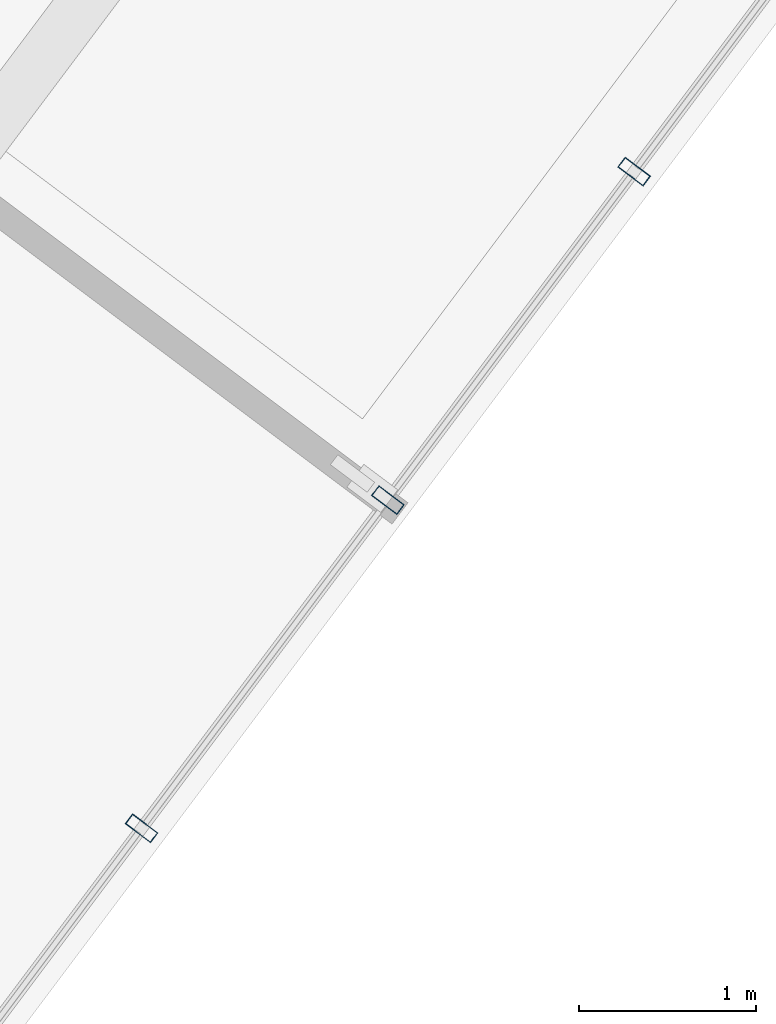
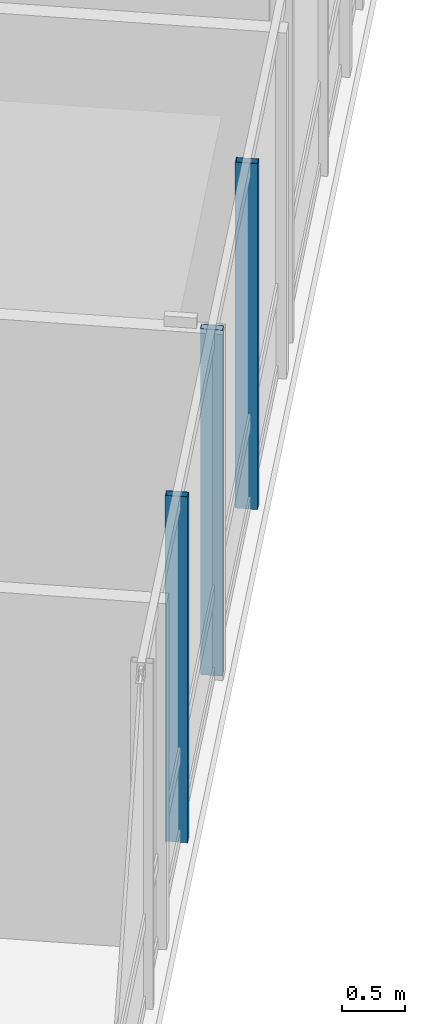
# One storey, part 11 of 26: 3 members, 1 element without a shape of its own.
"""IFC4 building model written with IfcOpenShell, lengths in metres."""

from ifc_helpers import new_model, si_unit, direction, frame, origin, origin_2d, place, context, subcontext, project, spatial, hollow_rectangle, extrude, material, layer, layer_set, material_profile, profile_set, type_object, element, aggregate, save


model = new_model("IFC4")

# Units and contexts
model_context = context("Model", 3, precision=1e-05, world=origin(), true_north=direction((0.0, 1.0)))
body_context = subcontext(model_context, "Body", "Model", "MODEL_VIEW")
ifc_project = project(units=[si_unit("LENGTHUNIT", "METRE"), si_unit("AREAUNIT", "SQUARE_METRE"), si_unit("VOLUMEUNIT", "CUBIC_METRE"), si_unit("PLANEANGLEUNIT", "RADIAN"), si_unit("MASSUNIT", "GRAM", prefix="KILO")], contexts=[model_context])

# Site, building, storey
site_placement = place(None, origin())
site = spatial("IfcSite", under=ifc_project, at=site_placement, CompositionType="ELEMENT")
building_placement = place(site_placement, origin())
building = spatial("IfcBuilding", under=site, at=building_placement, Name="Hatsunagi Terrace Concourse", CompositionType="ELEMENT")
storey_placement = place(building_placement, frame((0.0, 0.0, 195.14990234375)))
storey = spatial("IfcBuildingStorey", under=building, at=storey_placement, Name="L51", CompositionType="ELEMENT", Elevation=195.14990234375)

# Curtain wall, members
ifc_material_1 = material(Name="Anodised Aluminium Alloy 6063-T5", Category="aluminium")
ifc_layer = layer(ifc_material_1, 0.199951171875)
ifc_layer_set = layer_set([ifc_layer], Name="OfficeZone2_CW04")
curtain_wall_type = type_object("IfcCurtainWallType", Name="OfficeZone2_CW04", PredefinedType="NOTDEFINED", material=ifc_layer_set)
curtain_wall_placement = place(storey_placement, origin())
curtain_wall = element("IfcCurtainWall", 1, at=curtain_wall_placement, inside=storey, type_object=curtain_wall_type, Name="Unitised Curtain Wall CW-04 CW-L51-03", PredefinedType="NOTDEFINED")
ifc_material_2 = material(Name="Anodised Aluminium Alloy 6063-T5", Category="aluminium")
ifc_material_profile = material_profile(ifc_material_2, hollow_rectangle(XDim=0.070068359375, YDim=0.179931640625, WallThickness=0.00390625, at=origin_2d()), Name="ALU-MUL-180x70x4")
ifc_profile_set = profile_set([ifc_material_profile], Name="Anodised Aluminium Alloy 6063-T5")
member_type = type_object("IfcMemberType", Name="CurtainWallMullion_180x70", PredefinedType="MULLION", material=ifc_profile_set)
member_1_placement = place(storey_placement, frame((53.73193359375, 16.676025390625, 0.0), z_axis=(0.0, 0.0, 1.0), x_axis=(-0.599969314634, -0.800023013105, 0.0)))
member_1 = element("IfcMember", 2, at=member_1_placement, type_object=member_type, Name="Curtain Wall Mullion MUL-02", PredefinedType="MULLION", context=body_context, shape_type="SweptSolid", body=[
    extrude(hollow_rectangle(XDim=0.070068359375, YDim=0.179931640625, WallThickness=0.00390625, at=origin_2d()), origin(), (0.0, 0.0, 1.0), 3.35009765625),
])
member_2_placement = place(storey_placement, frame((52.340087890625, 14.819091796875, 0.0), z_axis=(0.0, 0.0, 1.0), x_axis=(-0.599969314634, -0.800023013105, 0.0)))
member_2 = element("IfcMember", 3, at=member_2_placement, type_object=member_type, Name="Curtain Wall Mullion MUL-02", PredefinedType="MULLION", context=body_context, shape_type="SweptSolid", body=[
    extrude(hollow_rectangle(XDim=0.070068359375, YDim=0.179931640625, WallThickness=0.00390625, at=origin_2d()), origin(), (0.0, 0.0, 1.0), 3.35009765625),
])
member_3_placement = place(storey_placement, frame((50.947021484375, 12.962890625, 0.0), z_axis=(0.0, 0.0, 1.0), x_axis=(-0.599969314634, -0.800023013105, 0.0)))
member_3 = element("IfcMember", 4, at=member_3_placement, type_object=member_type, Name="Curtain Wall Mullion MUL-02", PredefinedType="MULLION", context=body_context, shape_type="SweptSolid", body=[
    extrude(hollow_rectangle(XDim=0.070068359375, YDim=0.179931640625, WallThickness=0.00390625, at=origin_2d()), origin(), (0.0, 0.0, 1.0), 3.35009765625),
])
aggregate(curtain_wall, [member_1, member_2, member_3])

save(model, "model.ifc")
